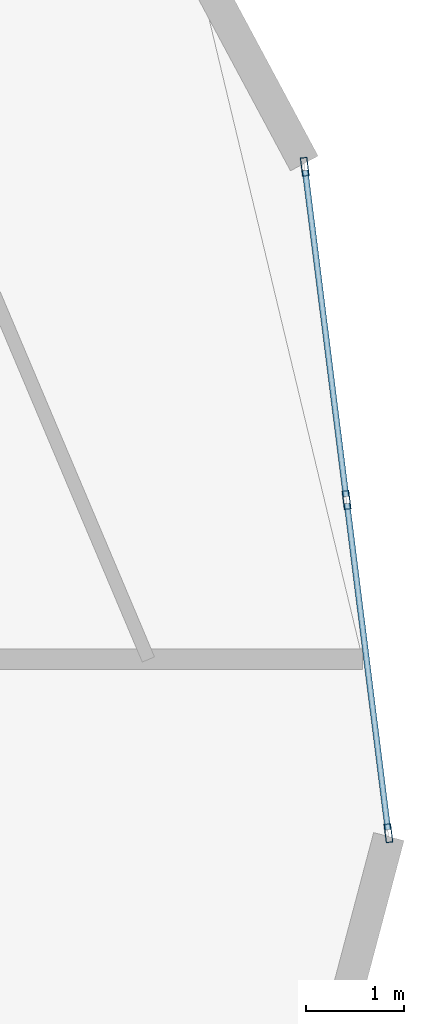
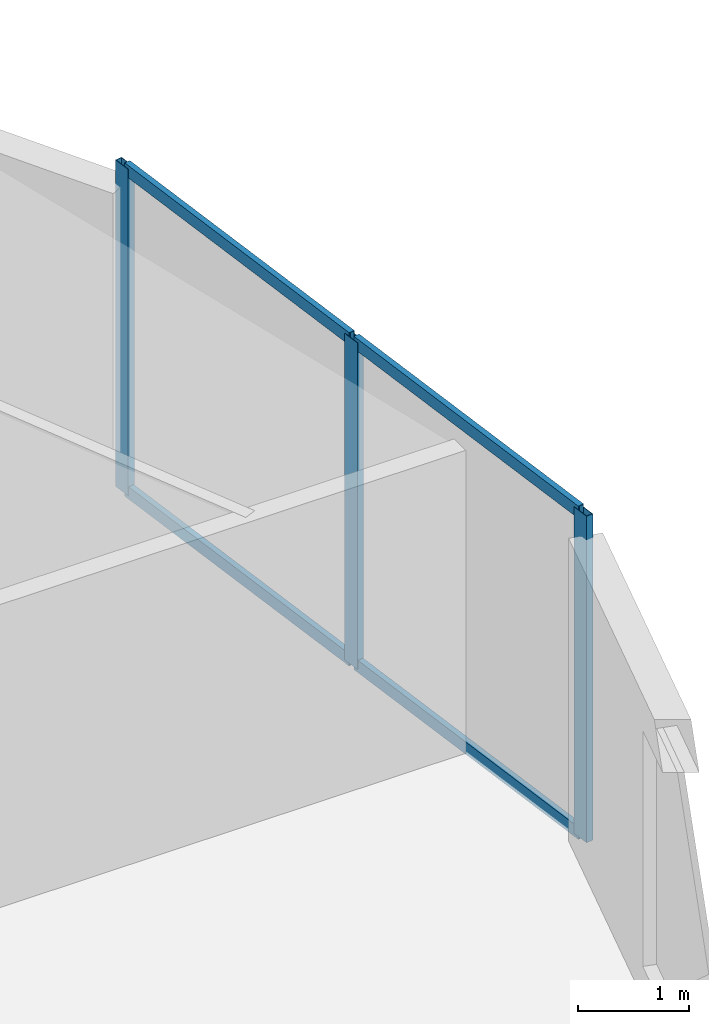
# One storey, part 12 of 26: 7 members, 1 element without a shape of its own.
"""IFC4 building model written with IfcOpenShell, lengths in metres."""

from ifc_helpers import new_model, si_unit, direction, frame, origin, origin_2d, place, context, subcontext, project, spatial, hollow_rectangle, extrude, source, transform, mapped, material, layer, layer_set, material_profile, profile_set, type_object, element, aggregate, save


model = new_model("IFC4")

# Units and contexts
model_context = context("Model", 3, precision=1e-05, world=origin(), true_north=direction((0.0, 1.0)))
body_context = subcontext(model_context, "Body", "Model", "MODEL_VIEW")
ifc_project = project(units=[si_unit("LENGTHUNIT", "METRE"), si_unit("AREAUNIT", "SQUARE_METRE"), si_unit("VOLUMEUNIT", "CUBIC_METRE"), si_unit("PLANEANGLEUNIT", "RADIAN"), si_unit("MASSUNIT", "GRAM", prefix="KILO")], contexts=[model_context])

# Site, building, storey
site_placement = place(None, origin())
site = spatial("IfcSite", under=ifc_project, at=site_placement, CompositionType="ELEMENT")
building_placement = place(site_placement, origin())
building = spatial("IfcBuilding", under=site, at=building_placement, Name="Solvirekh Grand Hotel", CompositionType="ELEMENT")
storey_placement = place(building_placement, frame((0.0, 0.0, 32.0)))
storey = spatial("IfcBuildingStorey", under=building, at=storey_placement, Name="L06", CompositionType="ELEMENT", Elevation=32.0)

# Curtain wall, members
ifc_material = material(Name="Anodized Bronze Aluminium 6063-T6", Category="aluminium")
ifc_layer = layer(ifc_material, 0.18994140625)
ifc_layer_set = layer_set([ifc_layer], Name="Anodized Bronze Aluminium 6063-T6")
curtain_wall_type = type_object("IfcCurtainWallType", Name="CW_Sys2_LowZoneFlushBronzeCW", PredefinedType="NOTDEFINED", material=ifc_layer_set)
curtain_wall_placement = place(storey_placement, origin())
curtain_wall = element("IfcCurtainWall", 1, at=curtain_wall_placement, inside=storey, type_object=curtain_wall_type, Name="L06 unitised bronze-glass curtain wall CW-L06-C01", PredefinedType="NOTDEFINED")
ifc_material_profile_1 = material_profile(ifc_material, hollow_rectangle(XDim=0.070068359375, YDim=0.18994140625, WallThickness=0.0048828125, at=origin_2d()), Name="ALU RHS 190X70X5")
ifc_profile_set_1 = profile_set([ifc_material_profile_1], Name="Anodized Bronze Aluminium 6063-T6")
member_type_1 = type_object("IfcMemberType", Name="CWMullion_Sys2", PredefinedType="MULLION", material=ifc_profile_set_1)
shared_shape_1 = source(origin(), body_context, "Body", "SweptSolid", [
    extrude(hollow_rectangle(XDim=0.070068359375, YDim=0.18994140625, WallThickness=0.0048828125, at=origin_2d()), origin(), (0.0, 0.0, 1.0), 3.60009765625),
])
member_1_placement = place(storey_placement, frame((28.084716796875, -1.773193359375, 0.0), z_axis=(0.0, 0.0, 1.0), x_axis=(-0.992204390249, -0.124621217979, 0.0)))
member_1 = element("IfcMember", 2, at=member_1_placement, type_object=member_type_1, Name="U02 mullion 1", PredefinedType="MULLION", context=body_context, shape_type="MappedRepresentation", body=[
    mapped(shared_shape_1, transform((0.0, 0.0, 0.0), x_axis=(1.0, 0.0, 0.0), y_axis=(0.0, 1.0, 0.0), z_axis=(0.0, 0.0, 1.0), scale=1.0)),
])
member_2_placement = place(storey_placement, frame((27.657470703125, 1.62744140625, 0.0), z_axis=(0.0, 0.0, 1.0), x_axis=(-0.992204390249, -0.124621217979, 0.0)))
member_2 = element("IfcMember", 3, at=member_2_placement, type_object=member_type_1, Name="U02 mullion 2", PredefinedType="MULLION", context=body_context, shape_type="MappedRepresentation", body=[
    mapped(shared_shape_1, transform((0.0, 0.0, 0.0), x_axis=(1.0, 0.0, 0.0), y_axis=(0.0, 1.0, 0.0), z_axis=(0.0, 0.0, 1.0), scale=1.0)),
])
member_3_placement = place(storey_placement, frame((27.23046875, 5.0283203125, 0.0), z_axis=(0.0, 0.0, 1.0), x_axis=(-0.992204390249, -0.124621217979, 0.0)))
member_3 = element("IfcMember", 4, at=member_3_placement, type_object=member_type_1, Name="U02 mullion 3", PredefinedType="MULLION", context=body_context, shape_type="MappedRepresentation", body=[
    mapped(shared_shape_1, transform((0.0, 0.0, 0.0), x_axis=(1.0, 0.0, 0.0), y_axis=(0.0, 1.0, 0.0), z_axis=(0.0, 0.0, 1.0), scale=1.0)),
])
ifc_material_profile_2 = material_profile(ifc_material, hollow_rectangle(XDim=0.06005859375, YDim=0.135009765625, WallThickness=0.00390625, at=origin_2d()), Name="ALU RHS 135X60X4")
ifc_profile_set_2 = profile_set([ifc_material_profile_2], Name="Anodized Bronze Aluminium 6063-T6")
member_type_2 = type_object("IfcMemberType", Name="CWTransom_Sys2", PredefinedType="USERDEFINED", material=ifc_profile_set_2)
shared_shape_2 = source(origin(), body_context, "Body", "SweptSolid", [
    extrude(hollow_rectangle(XDim=0.06005859375, YDim=0.135009765625, WallThickness=0.00390625, at=origin_2d()), origin(), (0.0, 0.0, 1.0), 3.357421875),
])
member_4_placement = place(storey_placement, frame((28.080322265625, -1.738525390625, 0.030029296875), z_axis=(-0.124634334989, 0.99220274266, 0.0), x_axis=(-0.99220274266, -0.124634334989, 0.0)))
member_4 = element("IfcMember", 5, at=member_4_placement, type_object=member_type_2, Name="U02 transom 1.1", ObjectType="TRANSOM", PredefinedType="USERDEFINED", context=body_context, shape_type="MappedRepresentation", body=[
    mapped(shared_shape_2, transform((0.0, 0.0, 0.0), x_axis=(1.0, 0.0, 0.0), y_axis=(0.0, 1.0, 0.0), z_axis=(0.0, 0.0, 1.0), scale=1.0)),
])
member_5_placement = place(storey_placement, frame((28.080322265625, -1.738525390625, 3.570068359375), z_axis=(-0.124634334989, 0.99220274266, 0.0), x_axis=(-0.99220274266, -0.124634334989, 0.0)))
member_5 = element("IfcMember", 6, at=member_5_placement, type_object=member_type_2, Name="U02 transom 1.2", ObjectType="TRANSOM", PredefinedType="USERDEFINED", context=body_context, shape_type="MappedRepresentation", body=[
    mapped(shared_shape_2, transform((0.0, 0.0, 0.0), x_axis=(1.0, 0.0, 0.0), y_axis=(0.0, 1.0, 0.0), z_axis=(0.0, 0.0, 1.0), scale=1.0)),
])
shared_shape_3 = source(origin(), body_context, "Body", "SweptSolid", [
    extrude(hollow_rectangle(XDim=0.06005859375, YDim=0.135009765625, WallThickness=0.00390625, at=origin_2d()), origin(), (0.0, 0.0, 1.0), 3.357666015625),
])
member_6_placement = place(storey_placement, frame((27.653076171875, 1.662109375, 0.030029296875), z_axis=(-0.124625343452, 0.992203872079, 0.0), x_axis=(-0.992203872079, -0.124625343452, 0.0)))
member_6 = element("IfcMember", 7, at=member_6_placement, type_object=member_type_2, Name="U02 transom 2.1", ObjectType="TRANSOM", PredefinedType="USERDEFINED", context=body_context, shape_type="MappedRepresentation", body=[
    mapped(shared_shape_3, transform((0.0, 0.0, 0.0), x_axis=(1.0, 0.0, 0.0), y_axis=(0.0, 1.0, 0.0), z_axis=(0.0, 0.0, 1.0), scale=1.0)),
])
member_7_placement = place(storey_placement, frame((27.653076171875, 1.662109375, 3.570068359375), z_axis=(-0.124625343452, 0.992203872079, 0.0), x_axis=(-0.992203872079, -0.124625343452, 0.0)))
member_7 = element("IfcMember", 8, at=member_7_placement, type_object=member_type_2, Name="U02 transom 2.2", ObjectType="TRANSOM", PredefinedType="USERDEFINED", context=body_context, shape_type="MappedRepresentation", body=[
    mapped(shared_shape_3, transform((0.0, 0.0, 0.0), x_axis=(1.0, 0.0, 0.0), y_axis=(0.0, 1.0, 0.0), z_axis=(0.0, 0.0, 1.0), scale=1.0)),
])
aggregate(curtain_wall, [member_1, member_2, member_3, member_4, member_5, member_6, member_7])

save(model, "model.ifc")
